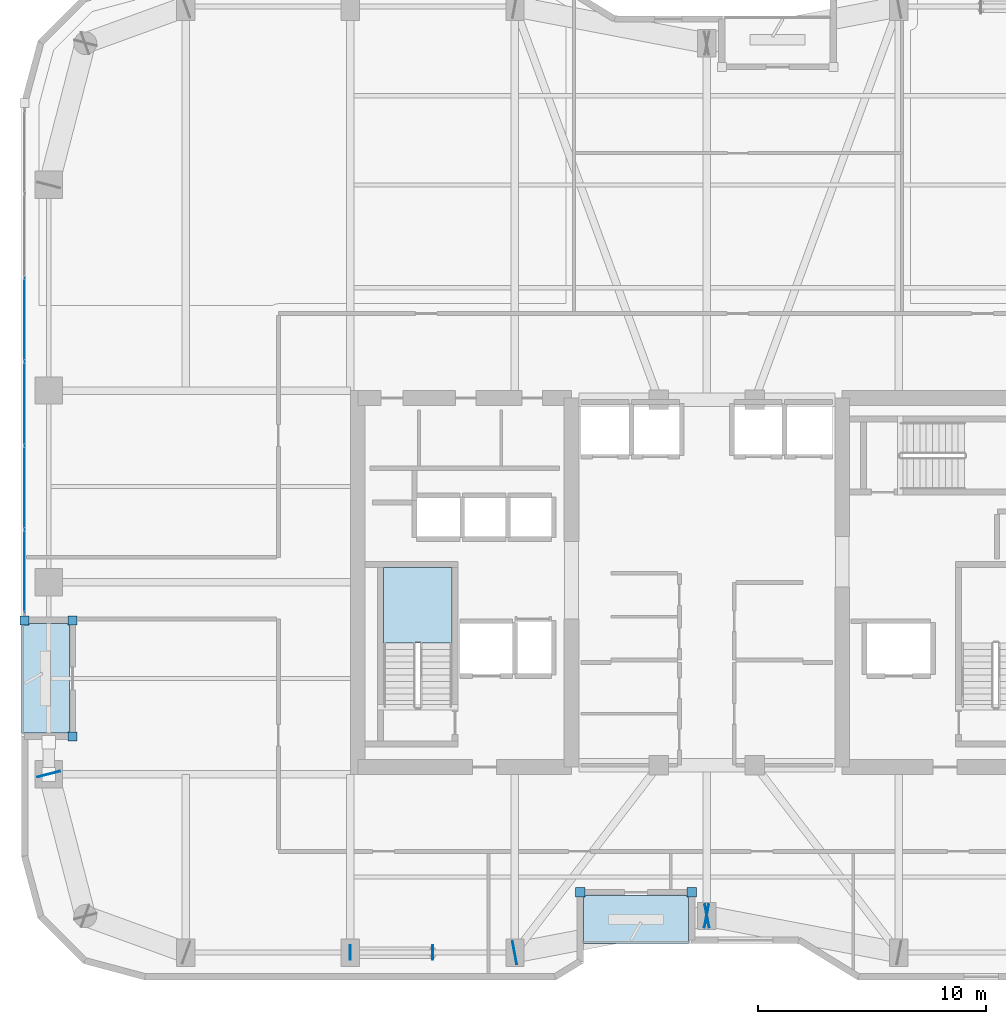
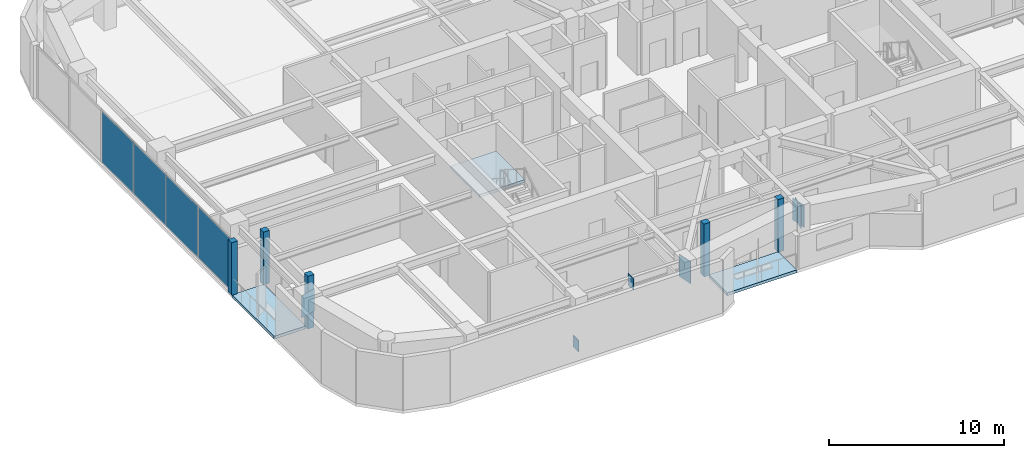
# One storey, part 21 of 30: 15 plates, 3 slabs, 2 elements without a shape of their own.
"""IFC4 building model written with IfcOpenShell, lengths in metres."""

from ifc_helpers import new_model, si_unit, direction, frame, origin, origin_2d, place, context, subcontext, project, spatial, polyline, rectangle, outline, extrude, material, layer, layer_set, type_object, element, aggregate, save


model = new_model("IFC4")

# Units and contexts
model_context = context("Model", 3, precision=1e-05, world=origin(), true_north=direction((0.0, 1.0)))
body_context = subcontext(model_context, "Body", "Model", "MODEL_VIEW")
ifc_project = project(units=[si_unit("LENGTHUNIT", "METRE"), si_unit("AREAUNIT", "SQUARE_METRE"), si_unit("VOLUMEUNIT", "CUBIC_METRE"), si_unit("PLANEANGLEUNIT", "RADIAN"), si_unit("MASSUNIT", "GRAM", prefix="KILO")], contexts=[model_context])

# Site, building, storey
site_placement = place(None, origin())
site = spatial("IfcSite", under=ifc_project, at=site_placement, CompositionType="ELEMENT")
building_placement = place(site_placement, origin())
building = spatial("IfcBuilding", under=site, at=building_placement, Name="Kiyonajd Concourse Tower", CompositionType="ELEMENT")
storey_placement = place(building_placement, frame((0.0, 0.0, 194.10009765625)))
storey = spatial("IfcBuildingStorey", under=building, at=storey_placement, Name="L49", CompositionType="ELEMENT", Elevation=194.10009765625)

# Plates
ifc_material_1 = material(Name="Steel ASTM A572 Grade 50", Category="steel")
ifc_layer_1 = layer(ifc_material_1, 0.028076171875)
ifc_layer_set_1 = layer_set([ifc_layer_1], Name="Steel ASTM A572 Grade 50")
plate_type_1 = type_object("IfcPlateType", Name="PL-CAP-450", PredefinedType="USERDEFINED", material=ifc_layer_set_1)
for number, where, z_axis, x_axis, name in (
    (1, (32.3916015625, 19.800048828125, -0.109375), (0.0, 0.0, 1.0), (-1.0, 0.0, 0.0), "L49 Hollow Brace End Cap Plate PBS"),
    (2, (36.00830078125, 19.800048828125, 2.93505859375), (0.0, 0.0, 1.0), (1.0, 0.0, 0.0), "L49 Hollow Brace Top Cap Plate PBS"),
):
    element("IfcPlate", number, at=place(storey_placement, frame(where, z_axis=z_axis, x_axis=x_axis)), inside=storey, type_object=plate_type_1, Name=name, ObjectType="CAP PLATE", PredefinedType="USERDEFINED", context=body_context, shape_type="SweptSolid", body=[
        extrude(rectangle(XDim=0.035888671875, YDim=0.6279296875, at=origin_2d()), origin(), (0.0, 0.0, 1.0), 0.803955078125),
    ])
ifc_layer_2 = layer(ifc_material_1, 0.031982421875)
ifc_layer_set_2 = layer_set([ifc_layer_2], Name="Steel ASTM A572 Grade 50")
plate_type_2 = type_object("IfcPlateType", Name="PL-CAP-540", PredefinedType="USERDEFINED", material=ifc_layer_set_2)
for number, where, z_axis, x_axis, name in (
    (3, (19.197265625, 27.610595703125, 2.2099609375), (0.0, 0.0, 1.0), (-0.249873048837, 0.968278606324, 0.0), "L49 Welded Box Girder End Cap"),
    (4, (39.589111328125, 19.7978515625, 2.2099609375), (0.0, 0.0, 1.0), (-0.982352599301, -0.187038420242, 0.0), "L49 Welded Box Girder End Cap"),
    (5, (48.0107421875, 21.402099609375, 2.2099609375), (0.0, 0.0, 1.0), (0.982352599301, 0.187038420242, 0.0), "L49 Welded Box Girder End Cap"),
    (6, (47.9892578125, 21.402099609375, 2.2099609375), (0.0, 0.0, 1.0), (-0.982352599301, 0.187038420242, 0.0), "L49 Welded Box Girder End Cap"),
):
    element("IfcPlate", number, at=place(storey_placement, frame(where, z_axis=z_axis, x_axis=x_axis)), inside=storey, type_object=plate_type_2, Name=name, ObjectType="CAP PLATE", PredefinedType="USERDEFINED", context=body_context, shape_type="SweptSolid", body=[
        extrude(rectangle(XDim=0.035888671875, YDim=1.02001953125, at=origin_2d()), origin(), (0.0, 0.0, 1.0), 1.5400390625),
    ])

# Curtain wall, plates
ifc_material_2 = material(Name="Thermally Broken Anodised Aluminium", Category="aluminium")
ifc_layer_3 = layer(ifc_material_2, 0.179931640625)
ifc_layer_set_3 = layer_set([ifc_layer_3], Name="Thermally Broken Anodised Aluminium")
curtain_wall_type = type_object("IfcCurtainWallType", Name="CW-SYS-03", PredefinedType="NOTDEFINED", material=ifc_layer_set_3)
curtain_wall_placement = place(storey_placement, origin())
curtain_wall = element("IfcCurtainWall", 7, at=curtain_wall_placement, inside=storey, type_object=curtain_wall_type, Name="L49 Unitised Curtain Wall CW3", PredefinedType="NOTDEFINED")
ifc_material_3 = material(Name="Double Low-E Insulated Glass", Category="glass")
ifc_layer_4 = layer(ifc_material_3, 0.033935546875)
ifc_layer_set_4 = layer_set([ifc_layer_4], Name="Double Low-E Insulated Glass")
plate_type_3 = type_object("IfcPlateType", Name="PL-CW-VIS34", PredefinedType="CURTAIN_PANEL", material=ifc_layer_set_4)
plate_1_placement = place(storey_placement, frame((18.139892578125, 36.484619140625, 0.06494140625), z_axis=(0.0, 0.0, 1.0), x_axis=(0.0, 1.0, 0.0)))
plate_1 = element("IfcPlate", 8, at=plate_1_placement, type_object=plate_type_3, Name="CW3 panel 1.1", PredefinedType="CURTAIN_PANEL", context=body_context, shape_type="SweptSolid", body=[
    extrude(rectangle(XDim=3.579345703125, YDim=0.033935546875, at=origin_2d()), origin(), (0.0, 0.0, 1.0), 3.550048828125),
])
plate_2_placement = place(storey_placement, frame((18.139892578125, 40.1455078125, 0.06494140625), z_axis=(0.0, 0.0, 1.0), x_axis=(0.0, 1.0, 0.0)))
plate_2 = element("IfcPlate", 9, at=plate_2_placement, type_object=plate_type_3, Name="CW3 panel 2.1", PredefinedType="CURTAIN_PANEL", context=body_context, shape_type="SweptSolid", body=[
    extrude(rectangle(XDim=3.61181640625, YDim=0.033935546875, at=origin_2d()), origin(), (0.0, 0.0, 1.0), 3.550048828125),
])
plate_3_placement = place(storey_placement, frame((18.139892578125, 43.822265625, 0.06494140625), z_axis=(0.0, 0.0, 1.0), x_axis=(0.0, 1.0, 0.0)))
plate_3 = element("IfcPlate", 10, at=plate_3_placement, type_object=plate_type_3, Name="CW3 panel 3.1", PredefinedType="CURTAIN_PANEL", context=body_context, shape_type="SweptSolid", body=[
    extrude(rectangle(XDim=3.61181640625, YDim=0.033935546875, at=origin_2d()), origin(), (0.0, 0.0, 1.0), 3.550048828125),
])
plate_4_placement = place(storey_placement, frame((18.139892578125, 47.499267578125, 0.06494140625), z_axis=(0.0, 0.0, 1.0), x_axis=(0.0, 1.0, 0.0)))
plate_4 = element("IfcPlate", 11, at=plate_4_placement, type_object=plate_type_3, Name="CW3 panel 4.1", PredefinedType="CURTAIN_PANEL", context=body_context, shape_type="SweptSolid", body=[
    extrude(rectangle(XDim=3.61181640625, YDim=0.033935546875, at=origin_2d()), origin(), (0.0, 0.0, 1.0), 3.550048828125),
])
aggregate(curtain_wall, [plate_1, plate_2, plate_3, plate_4])

# Plates
ifc_layer_5 = layer(ifc_material_2, 0.39990234375)
ifc_layer_set_5 = layer_set([ifc_layer_5], Name="Thermally Broken Anodised Aluminium")
plate_type_4 = type_object("IfcPlateType", Name="PL-JMB-400", PredefinedType="USERDEFINED", material=ifc_layer_set_5)
for number, where, z_axis, x_axis, name in (
    (12, (20.239990234375, 29.260009765625, 0.0), (0.0, 0.0, 1.0), (1.0, 0.0, 0.0), "L49 Facade Jamb Closure Plate 01"),
    (13, (20.239990234375, 34.340087890625, 0.0), (0.0, 0.0, 1.0), (1.0, 0.0, 0.0), "L49 Facade Jamb Closure Plate 02"),
    (14, (18.139892578125, 34.340087890625, 0.0), (0.0, 0.0, 1.0), (1.0, 0.0, 0.0), "L49 Facade Jamb Closure Plate 03"),
    (15, (47.340087890625, 22.43994140625, 0.0), (0.0, 0.0, 1.0), (1.0, 0.0, 0.0), "L49 Facade Jamb Closure Plate 13"),
    (16, (42.4599609375, 22.43994140625, 0.0), (0.0, 0.0, 1.0), (1.0, 0.0, 0.0), "L49 Facade Jamb Closure Plate 14"),
):
    element("IfcPlate", number, at=place(storey_placement, frame(where, z_axis=z_axis, x_axis=x_axis)), inside=storey, type_object=plate_type_4, Name=name, ObjectType="JAMB PLATE", PredefinedType="USERDEFINED", context=body_context, shape_type="SweptSolid", body=[
        extrude(rectangle(XDim=0.39990234375, YDim=0.39990234375, at=origin_2d()), origin(), (0.0, 0.0, 1.0), 3.679931640625),
    ])

# Stair, slab
ifc_material_4 = material(Name="Concrete C40/50", Category="concrete")
stair_type = type_object("IfcStairType", Name="ST-DLG-22R", PredefinedType="HALF_TURN_STAIR", material=ifc_material_4)
stair_placement = place(storey_placement, origin())
stair = element("IfcStair", 17, at=stair_placement, inside=storey, type_object=stair_type, Name="L49 Protected Exit Stair ST1", PredefinedType="HALF_TURN_STAIR")
ifc_layer_6 = layer(ifc_material_4, 0.199951171875)
ifc_layer_set_6 = layer_set([ifc_layer_6], Name="Concrete C40/50")
slab_type_1 = type_object("IfcSlabType", Name="SL-LND-200", PredefinedType="LANDING", material=ifc_layer_set_6)
slab_1_placement = place(storey_placement, frame((0.0, 0.0, 1.75)))
slab_1 = element("IfcSlab", 18, at=slab_1_placement, type_object=slab_type_1, Name="ST1 landing 1", PredefinedType="LANDING", context=body_context, shape_type="SweptSolid", body=[
    extrude(outline(polyline([(36.85009765625, 33.35009765625), (36.85009765625, 36.64990234375), (33.85009765625, 36.64990234375), (33.85009765625, 33.35009765625), (36.85009765625, 33.35009765625)])), origin(), (0.0, 0.0, 1.0), 0.199951171875),
])
aggregate(stair, [slab_1])

# Slabs
ifc_material_5 = material(Name="Precast concrete C50/60", Category="concrete")
ifc_layer_7 = layer(ifc_material_5, 0.199951171875)
ifc_layer_set_7 = layer_set([ifc_layer_7], Name="Precast concrete C50/60")
slab_type_2 = type_object("IfcSlabType", Name="SL-LOG-200", PredefinedType="FLOOR", material=ifc_layer_set_7)
slab_2_placement = place(storey_placement, frame((0.0, 0.0, -0.2001953125)))
element("IfcSlab", 19, at=slab_2_placement, inside=storey, type_object=slab_type_2, Name="L49 Recessed Engawa Loggia Terrace Slab LOG-S", PredefinedType="FLOOR", context=body_context, shape_type="SweptSolid", body=[
    extrude(outline(polyline([(42.60009765625, 20.199951171875), (47.199951171875, 20.199951171875), (47.199951171875, 22.300048828125), (42.60009765625, 22.300048828125), (42.60009765625, 20.199951171875)])), origin(), (0.0, 0.0, 1.0), 0.2001953125),
])
slab_3_placement = place(storey_placement, frame((0.0, 0.0, -0.2001953125)))
element("IfcSlab", 20, at=slab_3_placement, inside=storey, type_object=slab_type_2, Name="L49 Recessed Engawa Loggia Terrace Slab LOG-W", PredefinedType="FLOOR", context=body_context, shape_type="SweptSolid", body=[
    extrude(outline(polyline([(18.0, 29.39990234375), (20.10009765625, 29.39990234375), (20.10009765625, 34.199951171875), (18.0, 34.199951171875), (18.0, 29.39990234375)])), origin(), (0.0, 0.0, 1.0), 0.2001953125),
])

save(model, "model.ifc")
